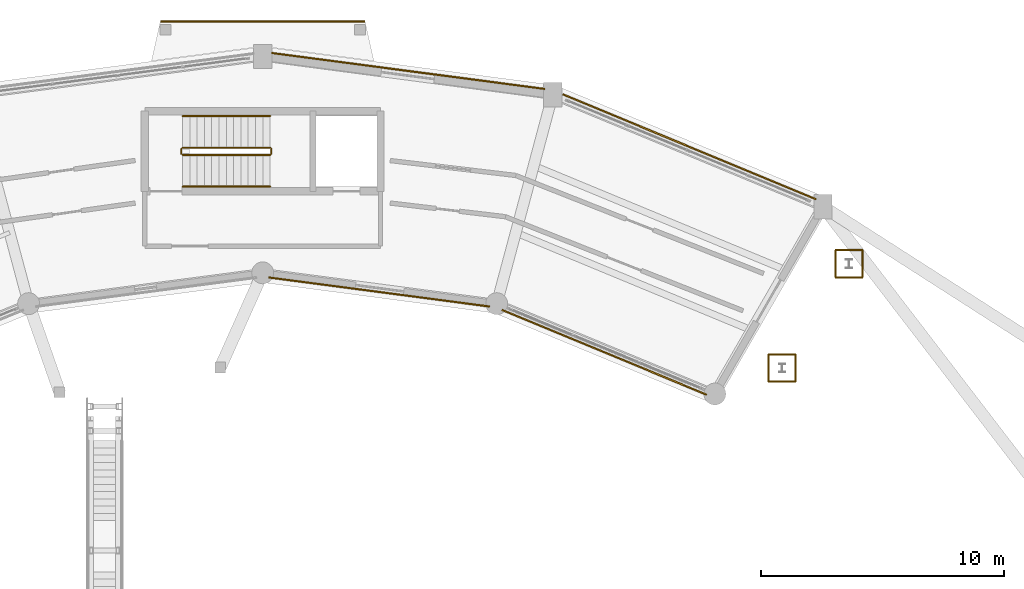
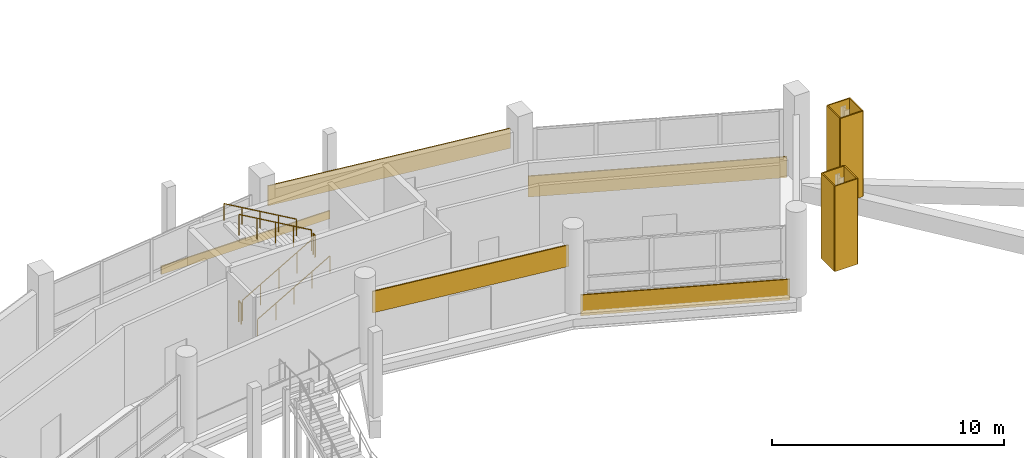
# One storey, part 124 of 129: 13 coverings, 6 railings.
"""IFC4 building model written with IfcOpenShell, lengths in metres."""

from ifc_helpers import new_model, si_unit, direction, frame, frame_2d, origin, origin_2d, place, context, subcontext, project, spatial, rectangle, circle, extrude, material, layer, layer_set, type_object, element, save


model = new_model("IFC4")

# Units and contexts
model_context = context("Model", 3, precision=1e-05, world=origin(), true_north=direction((0.0, 1.0)))
body_context = subcontext(model_context, "Body", "Model", "MODEL_VIEW")
ifc_project = project(units=[si_unit("LENGTHUNIT", "METRE"), si_unit("AREAUNIT", "SQUARE_METRE"), si_unit("VOLUMEUNIT", "CUBIC_METRE"), si_unit("PLANEANGLEUNIT", "RADIAN"), si_unit("MASSUNIT", "GRAM", prefix="KILO")], contexts=[model_context])

# Site, building, storey
site_placement = place(None, origin())
site = spatial("IfcSite", under=ifc_project, at=site_placement, CompositionType="ELEMENT")
building_placement = place(site_placement, origin())
building = spatial("IfcBuilding", under=site, at=building_placement, Name="Vespera Passage Community Centre", CompositionType="ELEMENT")
storey_placement = place(building_placement, origin())
storey = spatial("IfcBuildingStorey", under=building, at=storey_placement, Name="L00", CompositionType="ELEMENT", Elevation=0.0)

# Coverings
ifc_material_1 = material(Name="Precast concrete f'c 40 MPa", Category="concrete")
ifc_layer = layer(ifc_material_1, 0.06005859375)
ifc_layer_set = layer_set([ifc_layer], Name="Precast concrete f'c 40 MPa")
covering_type = type_object("IfcCoveringType", Name="COV-CLAD-60E", PredefinedType="CLADDING", material=ifc_layer_set)
covering_1_placement = place(storey_placement, frame((101.561767578125, 102.513427734375, 0.0), z_axis=(0.0, 0.0, 1.0), x_axis=(1.0, 0.0, 0.0)))
element("IfcCovering", 1, at=covering_1_placement, inside=storey, type_object=covering_type, Name="Pylon 3.82 TO L00 White Architectural Casing 1", PredefinedType="CLADDING", context=body_context, shape_type="SweptSolid", body=[
    extrude(rectangle(XDim=1.119873046875, YDim=0.06005859375, at=frame_2d((0.56005859375, 0.0))), origin(), (0.0, 0.0, 1.0), 4.5),
])
covering_2_placement = place(storey_placement, frame((102.681640625, 102.513427734375, 0.0), z_axis=(0.0, 0.0, 1.0), x_axis=(0.0, 1.0, 0.0)))
element("IfcCovering", 2, at=covering_2_placement, inside=storey, type_object=covering_type, Name="Pylon 3.82 TO L00 White Architectural Casing 2", PredefinedType="CLADDING", context=body_context, shape_type="SweptSolid", body=[
    extrude(rectangle(XDim=1.1201171875, YDim=0.06005859375, at=frame_2d((0.56005859375, 0.0))), origin(), (0.0, 0.0, 1.0), 4.5),
])
covering_3_placement = place(storey_placement, frame((102.681640625, 103.633544921875, 0.0), z_axis=(0.0, 0.0, 1.0), x_axis=(-1.0, 0.0, 0.0)))
element("IfcCovering", 3, at=covering_3_placement, inside=storey, type_object=covering_type, Name="Pylon 3.82 TO L00 White Architectural Casing 3", PredefinedType="CLADDING", context=body_context, shape_type="SweptSolid", body=[
    extrude(rectangle(XDim=1.119873046875, YDim=0.06005859375, at=frame_2d((0.56005859375, 0.0))), origin(), (0.0, 0.0, 1.0), 4.5),
])
for number, where, z_axis, x_axis, name in (
    (4, (101.561767578125, 103.633544921875, 0.0), (0.0, 0.0, 1.0), (0.0, -1.0, 0.0), "Pylon 3.82 TO L00 White Architectural Casing 4"),
    (5, (98.806396484375, 98.2216796875, 0.0), (0.0, 0.0, 1.0), (1.0, 0.0, 0.0), "Pylon 3.82 TI L00 White Architectural Casing 1"),
    (6, (99.926513671875, 98.2216796875, 0.0), (0.0, 0.0, 1.0), (0.0, 1.0, 0.0), "Pylon 3.82 TI L00 White Architectural Casing 2"),
    (7, (99.926513671875, 99.341796875, 0.0), (0.0, 0.0, 1.0), (-1.0, 0.0, 0.0), "Pylon 3.82 TI L00 White Architectural Casing 3"),
    (8, (98.806396484375, 99.341796875, 0.0), (0.0, 0.0, 1.0), (0.0, -1.0, 0.0), "Pylon 3.82 TI L00 White Architectural Casing 4"),
):
    element("IfcCovering", number, at=place(storey_placement, frame(where, z_axis=z_axis, x_axis=x_axis)), inside=storey, type_object=covering_type, Name=name, PredefinedType="CLADDING", context=body_context, shape_type="SweptSolid", body=[
        extrude(rectangle(XDim=1.1201171875, YDim=0.06005859375, at=frame_2d((0.56005859375, 0.0))), origin(), (0.0, 0.0, 1.0), 4.5),
    ])
covering_4_placement = place(storey_placement, frame((90.3486328125, 110.04052734375, -0.280029296875), z_axis=(0.0, 0.0, 1.0), x_axis=(0.923883530636, -0.382673779896, 0.0)))
element("IfcCovering", 9, at=covering_4_placement, inside=storey, type_object=covering_type, Name="V4 L00 Outer White Spandrel Band O4", PredefinedType="CLADDING", context=body_context, shape_type="SweptSolid", body=[
    extrude(rectangle(XDim=11.2724609375, YDim=0.06005859375, at=frame_2d((5.63623046875, 0.0))), origin(), (0.0, 0.0, 1.0), 1.10009765625),
])
covering_5_placement = place(storey_placement, frame((96.263916015625, 97.6875, -0.280029296875), z_axis=(0.0, 0.0, 1.0), x_axis=(-0.92387477551, 0.38269491658, 0.0)))
element("IfcCovering", 10, at=covering_5_placement, inside=storey, type_object=covering_type, Name="V4 L00 Inner Court White Spandrel Band I4", PredefinedType="CLADDING", context=body_context, shape_type="SweptSolid", body=[
    extrude(rectangle(XDim=9.11181640625, YDim=0.06005859375, at=frame_2d((4.555908203125, 0.0))), origin(), (0.0, 0.0, 1.0), 1.10009765625),
])
covering_6_placement = place(storey_placement, frame((78.375, 111.7421875, 2.419921875), z_axis=(0.0, 0.0, 1.0), x_axis=(0.991446004399, -0.130517509785, 0.0)))
element("IfcCovering", 11, at=covering_6_placement, inside=storey, type_object=covering_type, Name="V4 L00 Portal White Fascia O5", PredefinedType="CLADDING", context=body_context, shape_type="SweptSolid", body=[
    extrude(rectangle(XDim=11.328125, YDim=0.06005859375, at=frame_2d((5.6640625, 0.0))), origin(), (0.0, 0.0, 1.0), 1.045654296875),
])
covering_7_placement = place(storey_placement, frame((87.332763671875, 101.31494140625, 2.419921875), z_axis=(0.0, 0.0, 1.0), x_axis=(-0.99144567161, 0.13052003772, 0.0)))
element("IfcCovering", 12, at=covering_7_placement, inside=storey, type_object=covering_type, Name="V4 L00 Court Portal White Band I5", PredefinedType="CLADDING", context=body_context, shape_type="SweptSolid", body=[
    extrude(rectangle(XDim=9.15625, YDim=0.06005859375, at=frame_2d((4.578125, 0.0))), origin(), (0.0, 0.0, 1.0), 1.12939453125),
])
covering_8_placement = place(storey_placement, frame((73.800048828125, 113.030029296875, -0.3798828125), z_axis=(0.0, 0.0, 1.0), x_axis=(1.0, 0.0, 0.0)))
element("IfcCovering", 13, at=covering_8_placement, inside=storey, type_object=covering_type, Name="At-Grade Civic Plinth Skirt NP-N", PredefinedType="CLADDING", context=body_context, shape_type="SweptSolid", body=[
    extrude(rectangle(XDim=8.39990234375, YDim=0.06005859375, at=frame_2d((4.199951171875, 0.0))), origin(), (0.0, 0.0, 1.0), 0.429931640625),
])

# Railings
ifc_material_2 = material(Name="Steel ASTM A500 Grade C", Category="steel")
railing_type_1 = type_object("IfcRailingType", Name="RL-HAND-900I", PredefinedType="HANDRAIL", material=ifc_material_2)
railing_1_placement = place(storey_placement, frame((74.705078125, 106.25, 0.173095703125)))
element("IfcRailing", 14, at=railing_1_placement, inside=storey, type_object=railing_type_1, Name="L00 ST06 stair handrail 1", PredefinedType="HANDRAIL", context=body_context, shape_type="SweptSolid", body=[
    extrude(circle(Radius=0.02392578125, at=origin_2d()), frame((0.0, 0.0, 0.8759765625), z_axis=(0.866178740119, 0.0, 0.499734319579), x_axis=(0.0, 1.0, 0.0)), (0.0, 0.0, 1.0), 4.156005859375),
    extrude(circle(Radius=0.02099609375, at=origin_2d()), origin(), (0.0, 0.0, 1.0), 0.851806640625),
    extrude(circle(Radius=0.02099609375, at=origin_2d()), frame((0.89990234375, 0.0, 0.519287109375)), (0.0, 0.0, 1.0), 0.851806640625),
    extrude(circle(Radius=0.02099609375, at=origin_2d()), frame((1.7998046875, 0.0, 1.03857421875)), (0.0, 0.0, 1.0), 0.851806640625),
    extrude(circle(Radius=0.02099609375, at=origin_2d()), frame((2.699951171875, 0.0, 1.5576171875)), (0.0, 0.0, 1.0), 0.851806640625),
    extrude(circle(Radius=0.02099609375, at=origin_2d()), frame((3.599853515625, 0.0, 2.076904296875)), (0.0, 0.0, 1.0), 0.851806640625),
])
railing_2_placement = place(storey_placement, frame((78.304931640625, 109.14990234375, 2.423095703125)))
element("IfcRailing", 15, at=railing_2_placement, inside=storey, type_object=railing_type_1, Name="L00 ST06 stair handrail 2", PredefinedType="HANDRAIL", context=body_context, shape_type="SweptSolid", body=[
    extrude(circle(Radius=0.02392578125, at=origin_2d()), frame((0.0, 0.0, 0.8759765625), z_axis=(-0.866178740119, 0.0, 0.499734319579), x_axis=(0.0, -1.0, 0.0)), (0.0, 0.0, 1.0), 4.156005859375),
    extrude(circle(Radius=0.02099609375, at=origin_2d()), origin(), (0.0, 0.0, 1.0), 0.851806640625),
    extrude(circle(Radius=0.02099609375, at=origin_2d()), frame((-0.89990234375, 0.0, 0.519287109375)), (0.0, 0.0, 1.0), 0.851806640625),
    extrude(circle(Radius=0.02099609375, at=origin_2d()), frame((-1.7998046875, 0.0, 1.03857421875)), (0.0, 0.0, 1.0), 0.851806640625),
    extrude(circle(Radius=0.02099609375, at=origin_2d()), frame((-2.699951171875, 0.0, 1.5576171875)), (0.0, 0.0, 1.0), 0.851806640625),
    extrude(circle(Radius=0.02099609375, at=origin_2d()), frame((-3.599853515625, 0.0, 2.076904296875)), (0.0, 0.0, 1.0), 0.851806640625),
])
ifc_material_3 = material(Name="Steel ASTM A500 Grade C", Category="steel")
railing_type_2 = type_object("IfcRailingType", Name="RL-STAIR-1100I", PredefinedType="GUARDRAIL", material=ifc_material_3)
railing_3_placement = place(storey_placement, frame((74.705078125, 107.550048828125, 0.173095703125)))
element("IfcRailing", 16, at=railing_3_placement, inside=storey, type_object=railing_type_2, Name="L00 ST06 stair guard 1", PredefinedType="GUARDRAIL", context=body_context, shape_type="SweptSolid", body=[
    extrude(circle(Radius=0.02392578125, at=origin_2d()), frame((0.0, 0.0, 1.09619140625), z_axis=(0.866178740119, 0.0, 0.499734319579), x_axis=(0.0, 1.0, 0.0)), (0.0, 0.0, 1.0), 4.156005859375),
    extrude(circle(Radius=0.02099609375, at=origin_2d()), origin(), (0.0, 0.0, 1.0), 1.072021484375),
    extrude(circle(Radius=0.02099609375, at=origin_2d()), frame((0.89990234375, 0.0, 0.519287109375)), (0.0, 0.0, 1.0), 1.072021484375),
    extrude(circle(Radius=0.02099609375, at=origin_2d()), frame((1.7998046875, 0.0, 1.03857421875)), (0.0, 0.0, 1.0), 1.072021484375),
    extrude(circle(Radius=0.02099609375, at=origin_2d()), frame((2.699951171875, 0.0, 1.5576171875)), (0.0, 0.0, 1.0), 1.072021484375),
    extrude(circle(Radius=0.02099609375, at=origin_2d()), frame((3.599853515625, 0.0, 2.076904296875)), (0.0, 0.0, 1.0), 1.072021484375),
])
railing_4_placement = place(storey_placement, frame((78.35498046875, 107.60009765625, 2.25)))
element("IfcRailing", 17, at=railing_4_placement, inside=storey, type_object=railing_type_2, Name="L00 ST06 stair guard 2", PredefinedType="GUARDRAIL", context=body_context, shape_type="SweptSolid", body=[
    extrude(circle(Radius=0.02392578125, at=origin_2d()), frame((0.0, 0.0, 1.09619140625), z_axis=(0.0, 1.0, 0.0), x_axis=(-1.0, 0.0, 0.0)), (0.0, 0.0, 1.0), 0.199951171875),
    extrude(circle(Radius=0.02099609375, at=origin_2d()), origin(), (0.0, 0.0, 1.0), 1.072021484375),
    extrude(circle(Radius=0.02099609375, at=origin_2d()), frame((0.0, 0.199951171875, 0.0)), (0.0, 0.0, 1.0), 1.072021484375),
])
railing_5_placement = place(storey_placement, frame((78.304931640625, 107.85009765625, 2.423095703125)))
element("IfcRailing", 18, at=railing_5_placement, inside=storey, type_object=railing_type_2, Name="L00 ST06 stair guard 3", PredefinedType="GUARDRAIL", context=body_context, shape_type="SweptSolid", body=[
    extrude(circle(Radius=0.02392578125, at=origin_2d()), frame((0.0, 0.0, 1.09619140625), z_axis=(-0.866178740119, 0.0, 0.499734319579), x_axis=(0.0, -1.0, 0.0)), (0.0, 0.0, 1.0), 4.156005859375),
    extrude(circle(Radius=0.02099609375, at=origin_2d()), origin(), (0.0, 0.0, 1.0), 1.072021484375),
    extrude(circle(Radius=0.02099609375, at=origin_2d()), frame((-0.89990234375, 0.0, 0.519287109375)), (0.0, 0.0, 1.0), 1.072021484375),
    extrude(circle(Radius=0.02099609375, at=origin_2d()), frame((-1.7998046875, 0.0, 1.03857421875)), (0.0, 0.0, 1.0), 1.072021484375),
    extrude(circle(Radius=0.02099609375, at=origin_2d()), frame((-2.699951171875, 0.0, 1.5576171875)), (0.0, 0.0, 1.0), 1.072021484375),
    extrude(circle(Radius=0.02099609375, at=origin_2d()), frame((-3.599853515625, 0.0, 2.076904296875)), (0.0, 0.0, 1.0), 1.072021484375),
])
railing_6_placement = place(storey_placement, frame((74.655029296875, 107.60009765625, 0.0)))
element("IfcRailing", 19, at=railing_6_placement, inside=storey, type_object=railing_type_2, Name="L00 ST06 stair guard 4", PredefinedType="GUARDRAIL", context=body_context, shape_type="SweptSolid", body=[
    extrude(circle(Radius=0.02392578125, at=origin_2d()), frame((0.0, 0.0, 1.09619140625), z_axis=(0.0, 1.0, 0.0), x_axis=(-1.0, 0.0, 0.0)), (0.0, 0.0, 1.0), 0.199951171875),
    extrude(circle(Radius=0.02099609375, at=origin_2d()), origin(), (0.0, 0.0, 1.0), 1.072021484375),
    extrude(circle(Radius=0.02099609375, at=origin_2d()), frame((0.0, 0.199951171875, 0.0)), (0.0, 0.0, 1.0), 1.072021484375),
])

save(model, "model.ifc")
